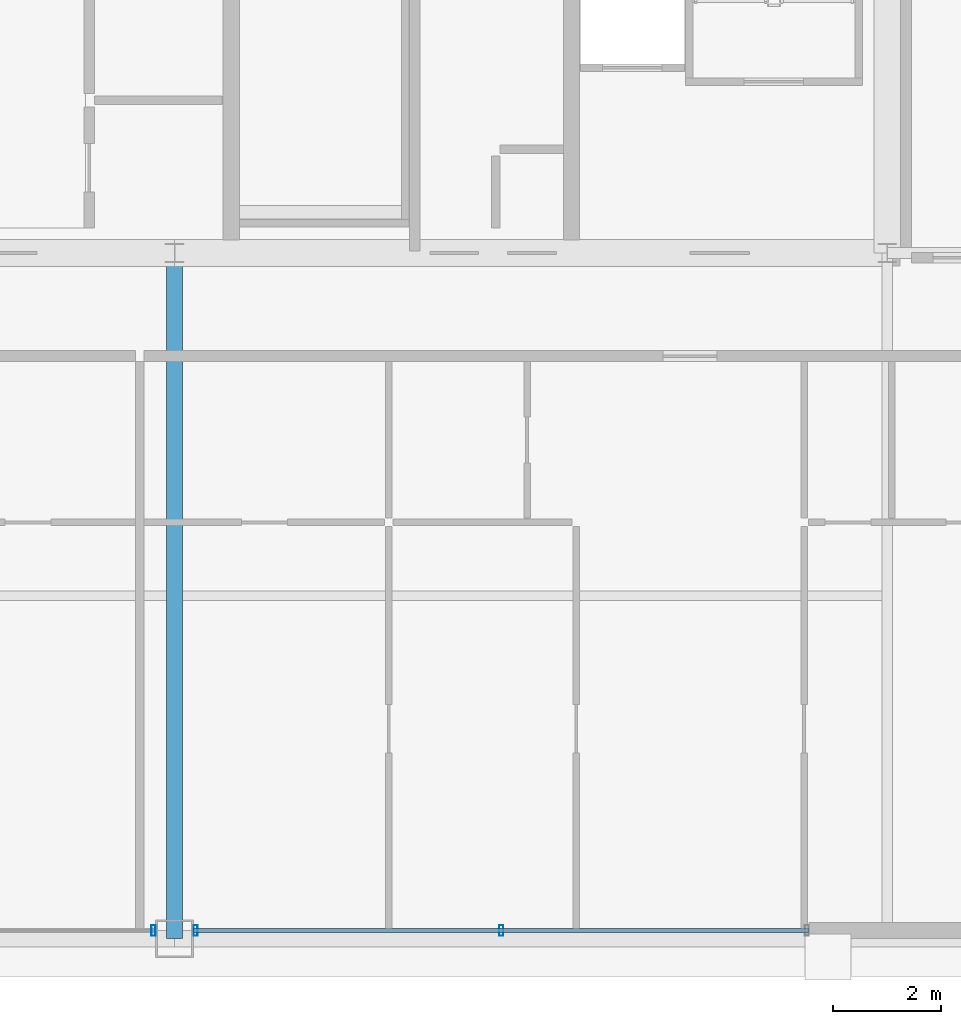
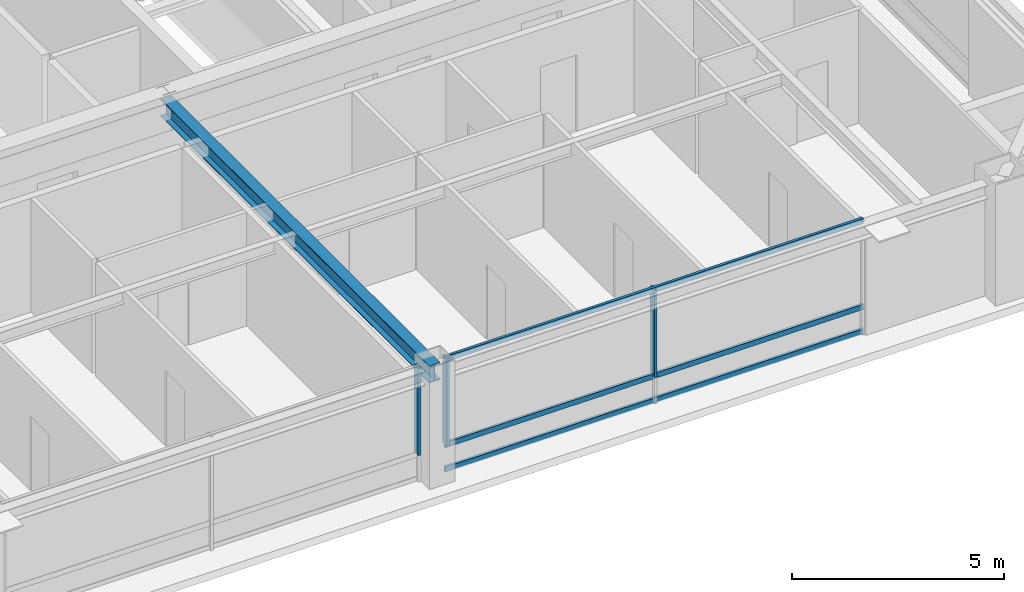
# One storey, part 8 of 35: 6 members, 1 beam, 2 elements without a shape of their own.
"""IFC4 building model written with IfcOpenShell, lengths in metres."""

from ifc_helpers import new_model, si_unit, direction, frame, origin, origin_2d, place, context, subcontext, project, spatial, hollow_rectangle, i_section, extrude, source, transform, mapped, material, layer, layer_set, material_profile, profile_set, type_object, element, aggregate, save


model = new_model("IFC4")

# Units and contexts
model_context = context("Model", 3, precision=1e-05, world=origin(), true_north=direction((0.0, 1.0)))
body_context = subcontext(model_context, "Body", "Model", "MODEL_VIEW")
ifc_project = project(units=[si_unit("LENGTHUNIT", "METRE"), si_unit("AREAUNIT", "SQUARE_METRE"), si_unit("VOLUMEUNIT", "CUBIC_METRE"), si_unit("PLANEANGLEUNIT", "RADIAN"), si_unit("MASSUNIT", "GRAM", prefix="KILO"), si_unit("THERMODYNAMICTEMPERATUREUNIT", "KELVIN"), si_unit("POWERUNIT", "WATT")], contexts=[model_context])

# Site, building, storey
site_placement = place(None, origin())
site = spatial("IfcSite", under=ifc_project, at=site_placement, CompositionType="ELEMENT")
building_placement = place(site_placement, origin())
building = spatial("IfcBuilding", under=site, at=building_placement, Name="Yuzanri Waterfront Tower", CompositionType="ELEMENT")
storey_placement = place(building_placement, frame((0.0, 0.0, 296.10009765625)))
storey = spatial("IfcBuildingStorey", under=building, at=storey_placement, Name="L79", CompositionType="ELEMENT", Elevation=296.10009765625)

# Beam
ifc_material_1 = material(Name="Steel Q355B", Category="steel")
ifc_material_profile_1 = material_profile(ifc_material_1, i_section(OverallWidth=0.300048828125, OverallDepth=0.488037109375, WebThickness=0.010986328125, FlangeThickness=0.01806640625, at=origin_2d()), Name="HM 488x300x11x18")
ifc_profile_set_1 = profile_set([ifc_material_profile_1], Name="Steel Q355B")
beam_type = type_object("IfcBeamType", Name="Primary Floor Girder Q355B HM 488x300", PredefinedType="BEAM", material=ifc_profile_set_1)
shared_shape_1 = source(origin(), body_context, "Body", "SweptSolid", [
    extrude(i_section(OverallWidth=0.300048828125, OverallDepth=0.488037109375, WebThickness=0.010986328125, FlangeThickness=0.01806640625, at=origin_2d()), origin(), (0.0, 0.0, 1.0), 12.699951171875),
])
beam_placement = place(storey_placement, frame((37.0, 19.39990234375, 3.035888671875), z_axis=(0.0, -1.0, 0.0), x_axis=(1.0, 0.0, 0.0)))
element("IfcBeam", 1, at=beam_placement, inside=storey, type_object=beam_type, Name="L79 South Grid Girder", PredefinedType="BEAM", context=body_context, shape_type="MappedRepresentation", body=[
    mapped(shared_shape_1, transform((0.0, 0.0, 0.0), scale=1.0)),
])

# Curtain wall, member
ifc_material_2 = material(Name="Anodized Architectural Bronze", Category="metal")
ifc_layer = layer(ifc_material_2, 0.159912109375)
ifc_layer_set = layer_set([ifc_layer], Name="Anodized Architectural Bronze")
curtain_wall_type = type_object("IfcCurtainWallType", Name="Anodized Bronze High-Rise Penthouse High-Wind Unitized Curtain Wall 6900", PredefinedType="NOTDEFINED", material=ifc_layer_set)
curtain_wall_1_placement = place(storey_placement, origin())
curtain_wall_1 = element("IfcCurtainWall", 2, at=curtain_wall_1_placement, inside=storey, type_object=curtain_wall_type, Name="L79 Curtain Wall CW-L79-SL", PredefinedType="NOTDEFINED")
ifc_material_3 = material(Name="Anodized Architectural Bronze", Category="metal")
ifc_material_profile_2 = material_profile(ifc_material_3, hollow_rectangle(XDim=0.074951171875, YDim=0.199951171875, WallThickness=0.00390625, at=origin_2d()), Name="CWM 75x200")
ifc_profile_set_2 = profile_set([ifc_material_profile_2], Name="Anodized Architectural Bronze")
member_type_1 = type_object("IfcMemberType", Name="Anodized Bronze Primary Curtain-Wall Mullion 75x200", PredefinedType="MULLION", material=ifc_profile_set_2)
shared_shape_2 = source(origin(), body_context, "Body", "SweptSolid", [
    extrude(hollow_rectangle(XDim=0.074951171875, YDim=0.199951171875, WallThickness=0.00390625, at=origin_2d()), origin(), (0.0, 0.0, 1.0), 2.52392578125),
])
member_1_placement = place(storey_placement, frame((36.610107421875, 6.85009765625, 0.755859375), z_axis=(0.0, 0.0, 1.0), x_axis=(1.0, 0.0, 0.0)))
member_1 = element("IfcMember", 3, at=member_1_placement, type_object=member_type_1, Name="CW-L79-SL Upper Mullion 02", PredefinedType="MULLION", context=body_context, shape_type="MappedRepresentation", body=[
    mapped(shared_shape_2, transform((0.0, 0.0, 0.0), scale=1.0)),
])
aggregate(curtain_wall_1, [member_1])

# Curtain wall, members
curtain_wall_2_placement = place(storey_placement, origin())
curtain_wall_2 = element("IfcCurtainWall", 4, at=curtain_wall_2_placement, inside=storey, type_object=curtain_wall_type, Name="L79 Curtain Wall CW-L79-SR", PredefinedType="NOTDEFINED")
member_2_placement = place(storey_placement, frame((37.389892578125, 6.85009765625, 0.755859375), z_axis=(0.0, 0.0, 1.0), x_axis=(1.0, 0.0, 0.0)))
member_2 = element("IfcMember", 5, at=member_2_placement, type_object=member_type_1, Name="CW-L79-SR Upper Mullion 00", PredefinedType="MULLION", context=body_context, shape_type="MappedRepresentation", body=[
    mapped(shared_shape_2, transform((0.0, 0.0, 0.0), scale=1.0)),
])
member_3_placement = place(storey_placement, frame((43.050048828125, 6.85009765625, 0.755859375), z_axis=(0.0, 0.0, 1.0), x_axis=(1.0, 0.0, 0.0)))
member_3 = element("IfcMember", 6, at=member_3_placement, type_object=member_type_1, Name="CW-L79-SR Upper Mullion 01", PredefinedType="MULLION", context=body_context, shape_type="MappedRepresentation", body=[
    mapped(shared_shape_2, transform((0.0, 0.0, 0.0), scale=1.0)),
])
ifc_material_4 = material(Name="Anodized Architectural Bronze", Category="metal")
ifc_material_profile_3 = material_profile(ifc_material_4, hollow_rectangle(XDim=0.074951171875, YDim=0.14990234375, WallThickness=0.00390625, at=origin_2d()), Name="CWT 75x150")
ifc_profile_set_3 = profile_set([ifc_material_profile_3], Name="Anodized Architectural Bronze")
member_type_2 = type_object("IfcMemberType", Name="Anodized Bronze Primary Curtain-Wall Transom 75x150", PredefinedType="USERDEFINED", material=ifc_profile_set_3)
shared_shape_3 = source(origin(), body_context, "Body", "SweptSolid", [
    extrude(hollow_rectangle(XDim=0.074951171875, YDim=0.14990234375, WallThickness=0.00390625, at=origin_2d()), origin(), (0.0, 0.0, 1.0), 11.39990234375),
])
member_4_placement = place(storey_placement, frame((37.35009765625, 6.85009765625, 0.0498046875), z_axis=(1.0, 0.0, 0.0), x_axis=(0.0, 1.0, 0.0)))
member_4 = element("IfcMember", 7, at=member_4_placement, type_object=member_type_2, Name="CW-L79-SR Transom 1", ObjectType="TRANSOM", PredefinedType="USERDEFINED", context=body_context, shape_type="MappedRepresentation", body=[
    mapped(shared_shape_3, transform((0.0, 0.0, 0.0), scale=1.0)),
])
member_5_placement = place(storey_placement, frame((37.35009765625, 6.85009765625, 0.75390625), z_axis=(1.0, 0.0, 0.0), x_axis=(0.0, 1.0, 0.0)))
member_5 = element("IfcMember", 8, at=member_5_placement, type_object=member_type_2, Name="CW-L79-SR Transom 2", ObjectType="TRANSOM", PredefinedType="USERDEFINED", context=body_context, shape_type="MappedRepresentation", body=[
    mapped(shared_shape_3, transform((0.0, 0.0, 0.0), scale=1.0)),
])
member_6_placement = place(storey_placement, frame((37.35009765625, 6.85009765625, 3.22998046875), z_axis=(1.0, 0.0, 0.0), x_axis=(0.0, 1.0, 0.0)))
member_6 = element("IfcMember", 9, at=member_6_placement, type_object=member_type_2, Name="CW-L79-SR Transom 3", ObjectType="TRANSOM", PredefinedType="USERDEFINED", context=body_context, shape_type="MappedRepresentation", body=[
    mapped(shared_shape_3, transform((0.0, 0.0, 0.0), scale=1.0)),
])
aggregate(curtain_wall_2, [member_2, member_3, member_4, member_5, member_6])

save(model, "model.ifc")
